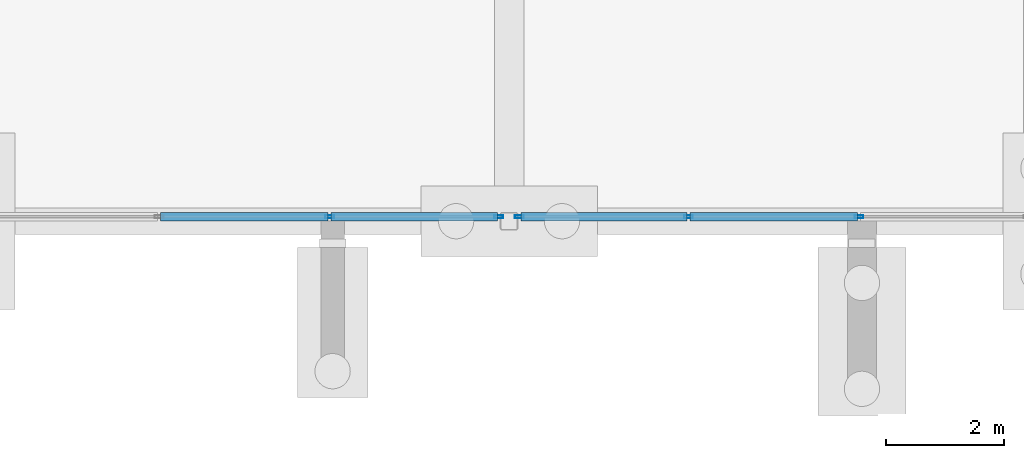
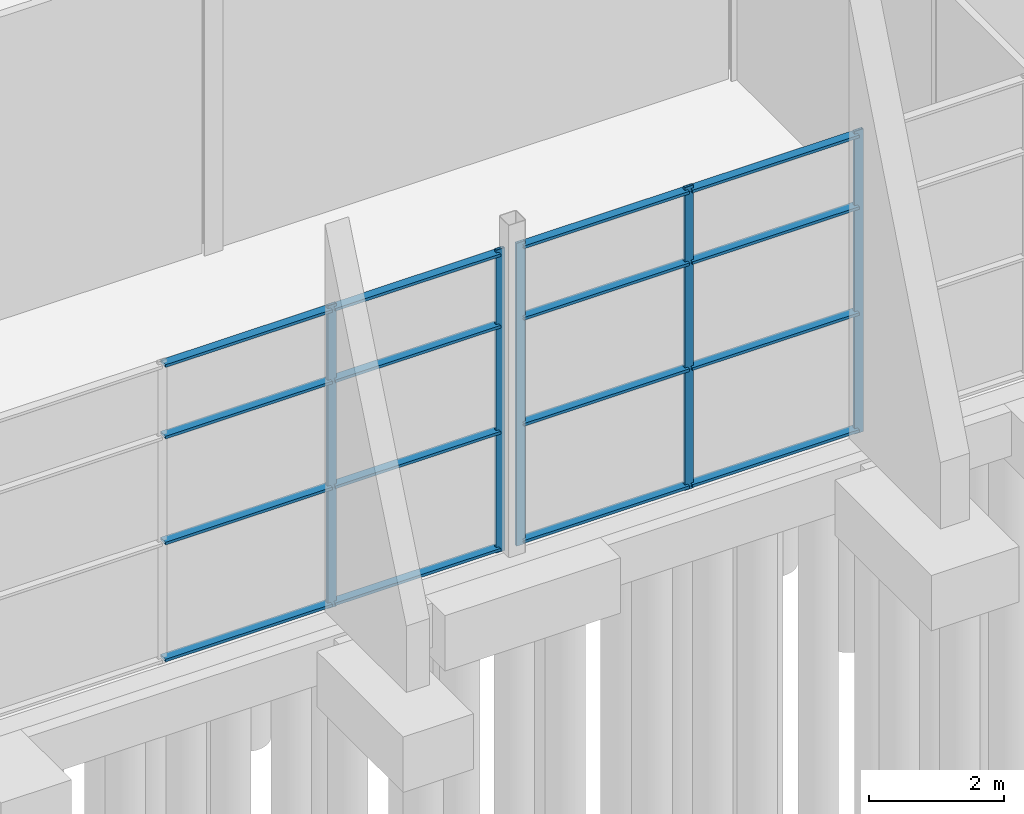
# One storey, part 79 of 139: 21 members, 2 elements without a shape of their own.
"""IFC4 building model written with IfcOpenShell, lengths in metres."""

from ifc_helpers import new_model, si_unit, direction, frame, origin, origin_2d, place, context, subcontext, project, spatial, hollow_rectangle, extrude, material, layer, layer_set, material_profile, profile_set, type_object, element, aggregate, save


model = new_model("IFC4")

# Units and contexts
model_context = context("Model", 3, precision=1e-05, world=origin(), true_north=direction((0.0, 1.0)))
body_context = subcontext(model_context, "Body", "Model", "MODEL_VIEW")
ifc_project = project(units=[si_unit("LENGTHUNIT", "METRE"), si_unit("AREAUNIT", "SQUARE_METRE"), si_unit("VOLUMEUNIT", "CUBIC_METRE"), si_unit("PLANEANGLEUNIT", "RADIAN"), si_unit("MASSUNIT", "GRAM", prefix="KILO")], contexts=[model_context])

# Site, building, storey
site_placement = place(None, origin())
site = spatial("IfcSite", under=ifc_project, at=site_placement, CompositionType="ELEMENT")
building_placement = place(site_placement, origin())
building = spatial("IfcBuilding", under=site, at=building_placement, Name="Shorebreak Coast Museum", CompositionType="ELEMENT")
storey_placement = place(building_placement, origin())
storey = spatial("IfcBuildingStorey", under=building, at=storey_placement, Name="L00", CompositionType="ELEMENT", Elevation=0.0)

# Curtain wall, members
ifc_material_1 = material(Name="Aluminium", Category="aluminium")
ifc_layer = layer(ifc_material_1, 0.14990234375)
ifc_layer_set = layer_set([ifc_layer], Name="Aluminium")
curtain_wall_type = type_object("IfcCurtainWallType", Name="Storefront curtain wall", PredefinedType="NOTDEFINED", material=ifc_layer_set)
curtain_wall_1_placement = place(storey_placement, origin())
curtain_wall_1 = element("IfcCurtainWall", 1, at=curtain_wall_1_placement, inside=storey, type_object=curtain_wall_type, Name="Storefront L00 S 10", PredefinedType="NOTDEFINED")
ifc_material_2 = material(Name="Aluminium", Category="aluminium")
ifc_material_profile_1 = material_profile(ifc_material_2, hollow_rectangle(XDim=0.050048828125, YDim=0.14990234375, WallThickness=0.00390625, at=origin_2d()), Name="AL 150x50 RHS")
ifc_profile_set_1 = profile_set([ifc_material_profile_1], Name="Aluminium")
member_type_1 = type_object("IfcMemberType", Name="Storefront mullion 50 x 150", PredefinedType="MULLION", material=ifc_profile_set_1)
member_1_placement = place(storey_placement, frame((140.949951171875, 54.074951171875, 0.0), z_axis=(0.0, 0.0, 1.0), x_axis=(0.0, 1.0, 0.0)))
member_1 = element("IfcMember", 2, at=member_1_placement, type_object=member_type_1, Name="CW8 mullion 3", PredefinedType="MULLION", context=body_context, shape_type="SweptSolid", body=[
    extrude(hollow_rectangle(XDim=0.050048828125, YDim=0.14990234375, WallThickness=0.00390625, at=origin_2d()), origin(), (0.0, 0.0, 1.0), 5.469482421875),
])
member_2_placement = place(storey_placement, frame((143.824951171875, 54.074951171875, 0.0), z_axis=(0.0, 0.0, 1.0), x_axis=(0.0, 1.0, 0.0)))
member_2 = element("IfcMember", 3, at=member_2_placement, type_object=member_type_1, Name="CW8 mullion 4", PredefinedType="MULLION", context=body_context, shape_type="SweptSolid", body=[
    extrude(hollow_rectangle(XDim=0.050048828125, YDim=0.14990234375, WallThickness=0.00390625, at=origin_2d()), origin(), (0.0, 0.0, 1.0), 5.469482421875),
])

curtain_wall_2_placement = place(storey_placement, origin())
curtain_wall_2 = element("IfcCurtainWall", 4, at=curtain_wall_2_placement, inside=storey, type_object=curtain_wall_type, Name="Storefront L00 S 11", PredefinedType="NOTDEFINED")
member_3_placement = place(storey_placement, frame((144.175048828125, 54.074951171875, 0.0), z_axis=(0.0, 0.0, 1.0), x_axis=(0.0, 1.0, 0.0)))
member_3 = element("IfcMember", 5, at=member_3_placement, type_object=member_type_1, Name="CW8 mullion 1", PredefinedType="MULLION", context=body_context, shape_type="SweptSolid", body=[
    extrude(hollow_rectangle(XDim=0.050048828125, YDim=0.14990234375, WallThickness=0.00390625, at=origin_2d()), origin(), (0.0, 0.0, 1.0), 5.469482421875),
])
member_4_placement = place(storey_placement, frame((147.050048828125, 54.074951171875, 0.0), z_axis=(0.0, 0.0, 1.0), x_axis=(0.0, 1.0, 0.0)))
member_4 = element("IfcMember", 6, at=member_4_placement, type_object=member_type_1, Name="CW8 mullion 2", PredefinedType="MULLION", context=body_context, shape_type="SweptSolid", body=[
    extrude(hollow_rectangle(XDim=0.050048828125, YDim=0.14990234375, WallThickness=0.00390625, at=origin_2d()), origin(), (0.0, 0.0, 1.0), 5.469482421875),
])
member_5_placement = place(storey_placement, frame((149.949951171875, 54.074951171875, 0.0), z_axis=(0.0, 0.0, 1.0), x_axis=(0.0, 1.0, 0.0)))
member_5 = element("IfcMember", 7, at=member_5_placement, type_object=member_type_1, Name="CW8 mullion 3", PredefinedType="MULLION", context=body_context, shape_type="SweptSolid", body=[
    extrude(hollow_rectangle(XDim=0.050048828125, YDim=0.14990234375, WallThickness=0.00390625, at=origin_2d()), origin(), (0.0, 0.0, 1.0), 5.469482421875),
])

# Member
ifc_material_3 = material(Name="Aluminium", Category="aluminium")
ifc_material_profile_2 = material_profile(ifc_material_3, hollow_rectangle(XDim=0.14990234375, YDim=0.050048828125, WallThickness=0.00390625, at=origin_2d()), Name="AL 50x150 RHS")
ifc_profile_set_2 = profile_set([ifc_material_profile_2], Name="Aluminium")
member_type_2 = type_object("IfcMemberType", Name="Storefront transom 150 x 50", PredefinedType="USERDEFINED", material=ifc_profile_set_2)
member_6_placement = place(storey_placement, frame((138.074951171875, 54.074951171875, 0.074951171875), z_axis=(1.0, 0.0, 0.0), x_axis=(0.0, 1.0, 0.0)))
member_6 = element("IfcMember", 8, at=member_6_placement, type_object=member_type_2, Name="CW8 transom 2.1", ObjectType="TRANSOM", PredefinedType="USERDEFINED", context=body_context, shape_type="SweptSolid", body=[
    extrude(hollow_rectangle(XDim=0.14990234375, YDim=0.050048828125, WallThickness=0.00390625, at=origin_2d()), origin(), (0.0, 0.0, 1.0), 2.85009765625),
])

member_7_placement = place(storey_placement, frame((138.074951171875, 54.074951171875, 2.187744140625), z_axis=(1.0, 0.0, 0.0), x_axis=(0.0, 1.0, 0.0)))
member_7 = element("IfcMember", 9, at=member_7_placement, type_object=member_type_2, Name="CW8 transom 2.2", ObjectType="TRANSOM", PredefinedType="USERDEFINED", context=body_context, shape_type="SweptSolid", body=[
    extrude(hollow_rectangle(XDim=0.14990234375, YDim=0.050048828125, WallThickness=0.00390625, at=origin_2d()), origin(), (0.0, 0.0, 1.0), 2.85009765625),
])

member_8_placement = place(storey_placement, frame((138.074951171875, 54.074951171875, 4.10205078125), z_axis=(1.0, 0.0, 0.0), x_axis=(0.0, 1.0, 0.0)))
member_8 = element("IfcMember", 10, at=member_8_placement, type_object=member_type_2, Name="CW8 transom 2.3", ObjectType="TRANSOM", PredefinedType="USERDEFINED", context=body_context, shape_type="SweptSolid", body=[
    extrude(hollow_rectangle(XDim=0.14990234375, YDim=0.050048828125, WallThickness=0.00390625, at=origin_2d()), origin(), (0.0, 0.0, 1.0), 2.85009765625),
])

member_9_placement = place(storey_placement, frame((138.074951171875, 54.074951171875, 5.394287109375), z_axis=(1.0, 0.0, 0.0), x_axis=(0.0, 1.0, 0.0)))
member_9 = element("IfcMember", 11, at=member_9_placement, type_object=member_type_2, Name="CW8 transom 2.4", ObjectType="TRANSOM", PredefinedType="USERDEFINED", context=body_context, shape_type="SweptSolid", body=[
    extrude(hollow_rectangle(XDim=0.14990234375, YDim=0.050048828125, WallThickness=0.00390625, at=origin_2d()), origin(), (0.0, 0.0, 1.0), 2.85009765625),
])

member_10_placement = place(storey_placement, frame((140.97509765625, 54.074951171875, 0.074951171875), z_axis=(1.0, 0.0, 0.0), x_axis=(0.0, 1.0, 0.0)))
member_10 = element("IfcMember", 12, at=member_10_placement, type_object=member_type_2, Name="CW8 transom 3.1", ObjectType="TRANSOM", PredefinedType="USERDEFINED", context=body_context, shape_type="SweptSolid", body=[
    extrude(hollow_rectangle(XDim=0.14990234375, YDim=0.050048828125, WallThickness=0.00390625, at=origin_2d()), origin(), (0.0, 0.0, 1.0), 2.824951171875),
])

member_11_placement = place(storey_placement, frame((140.97509765625, 54.074951171875, 2.187744140625), z_axis=(1.0, 0.0, 0.0), x_axis=(0.0, 1.0, 0.0)))
member_11 = element("IfcMember", 13, at=member_11_placement, type_object=member_type_2, Name="CW8 transom 3.2", ObjectType="TRANSOM", PredefinedType="USERDEFINED", context=body_context, shape_type="SweptSolid", body=[
    extrude(hollow_rectangle(XDim=0.14990234375, YDim=0.050048828125, WallThickness=0.00390625, at=origin_2d()), origin(), (0.0, 0.0, 1.0), 2.824951171875),
])

member_12_placement = place(storey_placement, frame((140.97509765625, 54.074951171875, 4.10205078125), z_axis=(1.0, 0.0, 0.0), x_axis=(0.0, 1.0, 0.0)))
member_12 = element("IfcMember", 14, at=member_12_placement, type_object=member_type_2, Name="CW8 transom 3.3", ObjectType="TRANSOM", PredefinedType="USERDEFINED", context=body_context, shape_type="SweptSolid", body=[
    extrude(hollow_rectangle(XDim=0.14990234375, YDim=0.050048828125, WallThickness=0.00390625, at=origin_2d()), origin(), (0.0, 0.0, 1.0), 2.824951171875),
])

member_13_placement = place(storey_placement, frame((140.97509765625, 54.074951171875, 5.394287109375), z_axis=(1.0, 0.0, 0.0), x_axis=(0.0, 1.0, 0.0)))
member_13 = element("IfcMember", 15, at=member_13_placement, type_object=member_type_2, Name="CW8 transom 3.4", ObjectType="TRANSOM", PredefinedType="USERDEFINED", context=body_context, shape_type="SweptSolid", body=[
    extrude(hollow_rectangle(XDim=0.14990234375, YDim=0.050048828125, WallThickness=0.00390625, at=origin_2d()), origin(), (0.0, 0.0, 1.0), 2.824951171875),
])

aggregate(curtain_wall_1, [member_1, member_2, member_6, member_7, member_8, member_9, member_10, member_11, member_12, member_13])

member_14_placement = place(storey_placement, frame((144.199951171875, 54.074951171875, 0.074951171875), z_axis=(1.0, 0.0, 0.0), x_axis=(0.0, 1.0, 0.0)))
member_14 = element("IfcMember", 16, at=member_14_placement, type_object=member_type_2, Name="CW8 transom 1.1", ObjectType="TRANSOM", PredefinedType="USERDEFINED", context=body_context, shape_type="SweptSolid", body=[
    extrude(hollow_rectangle(XDim=0.14990234375, YDim=0.050048828125, WallThickness=0.00390625, at=origin_2d()), origin(), (0.0, 0.0, 1.0), 2.824951171875),
])

member_15_placement = place(storey_placement, frame((144.199951171875, 54.074951171875, 2.187744140625), z_axis=(1.0, 0.0, 0.0), x_axis=(0.0, 1.0, 0.0)))
member_15 = element("IfcMember", 17, at=member_15_placement, type_object=member_type_2, Name="CW8 transom 1.2", ObjectType="TRANSOM", PredefinedType="USERDEFINED", context=body_context, shape_type="SweptSolid", body=[
    extrude(hollow_rectangle(XDim=0.14990234375, YDim=0.050048828125, WallThickness=0.00390625, at=origin_2d()), origin(), (0.0, 0.0, 1.0), 2.824951171875),
])

member_16_placement = place(storey_placement, frame((144.199951171875, 54.074951171875, 4.10205078125), z_axis=(1.0, 0.0, 0.0), x_axis=(0.0, 1.0, 0.0)))
member_16 = element("IfcMember", 18, at=member_16_placement, type_object=member_type_2, Name="CW8 transom 1.3", ObjectType="TRANSOM", PredefinedType="USERDEFINED", context=body_context, shape_type="SweptSolid", body=[
    extrude(hollow_rectangle(XDim=0.14990234375, YDim=0.050048828125, WallThickness=0.00390625, at=origin_2d()), origin(), (0.0, 0.0, 1.0), 2.824951171875),
])

member_17_placement = place(storey_placement, frame((144.199951171875, 54.074951171875, 5.394287109375), z_axis=(1.0, 0.0, 0.0), x_axis=(0.0, 1.0, 0.0)))
member_17 = element("IfcMember", 19, at=member_17_placement, type_object=member_type_2, Name="CW8 transom 1.4", ObjectType="TRANSOM", PredefinedType="USERDEFINED", context=body_context, shape_type="SweptSolid", body=[
    extrude(hollow_rectangle(XDim=0.14990234375, YDim=0.050048828125, WallThickness=0.00390625, at=origin_2d()), origin(), (0.0, 0.0, 1.0), 2.824951171875),
])

member_18_placement = place(storey_placement, frame((147.074951171875, 54.074951171875, 0.074951171875), z_axis=(1.0, 0.0, 0.0), x_axis=(0.0, 1.0, 0.0)))
member_18 = element("IfcMember", 20, at=member_18_placement, type_object=member_type_2, Name="CW8 transom 2.1", ObjectType="TRANSOM", PredefinedType="USERDEFINED", context=body_context, shape_type="SweptSolid", body=[
    extrude(hollow_rectangle(XDim=0.14990234375, YDim=0.050048828125, WallThickness=0.00390625, at=origin_2d()), origin(), (0.0, 0.0, 1.0), 2.85009765625),
])

member_19_placement = place(storey_placement, frame((147.074951171875, 54.074951171875, 2.187744140625), z_axis=(1.0, 0.0, 0.0), x_axis=(0.0, 1.0, 0.0)))
member_19 = element("IfcMember", 21, at=member_19_placement, type_object=member_type_2, Name="CW8 transom 2.2", ObjectType="TRANSOM", PredefinedType="USERDEFINED", context=body_context, shape_type="SweptSolid", body=[
    extrude(hollow_rectangle(XDim=0.14990234375, YDim=0.050048828125, WallThickness=0.00390625, at=origin_2d()), origin(), (0.0, 0.0, 1.0), 2.85009765625),
])

member_20_placement = place(storey_placement, frame((147.074951171875, 54.074951171875, 4.10205078125), z_axis=(1.0, 0.0, 0.0), x_axis=(0.0, 1.0, 0.0)))
member_20 = element("IfcMember", 22, at=member_20_placement, type_object=member_type_2, Name="CW8 transom 2.3", ObjectType="TRANSOM", PredefinedType="USERDEFINED", context=body_context, shape_type="SweptSolid", body=[
    extrude(hollow_rectangle(XDim=0.14990234375, YDim=0.050048828125, WallThickness=0.00390625, at=origin_2d()), origin(), (0.0, 0.0, 1.0), 2.85009765625),
])

member_21_placement = place(storey_placement, frame((147.074951171875, 54.074951171875, 5.394287109375), z_axis=(1.0, 0.0, 0.0), x_axis=(0.0, 1.0, 0.0)))
member_21 = element("IfcMember", 23, at=member_21_placement, type_object=member_type_2, Name="CW8 transom 2.4", ObjectType="TRANSOM", PredefinedType="USERDEFINED", context=body_context, shape_type="SweptSolid", body=[
    extrude(hollow_rectangle(XDim=0.14990234375, YDim=0.050048828125, WallThickness=0.00390625, at=origin_2d()), origin(), (0.0, 0.0, 1.0), 2.85009765625),
])

aggregate(curtain_wall_2, [member_3, member_4, member_5, member_14, member_15, member_16, member_17, member_18, member_19, member_20, member_21])

save(model, "model.ifc")
